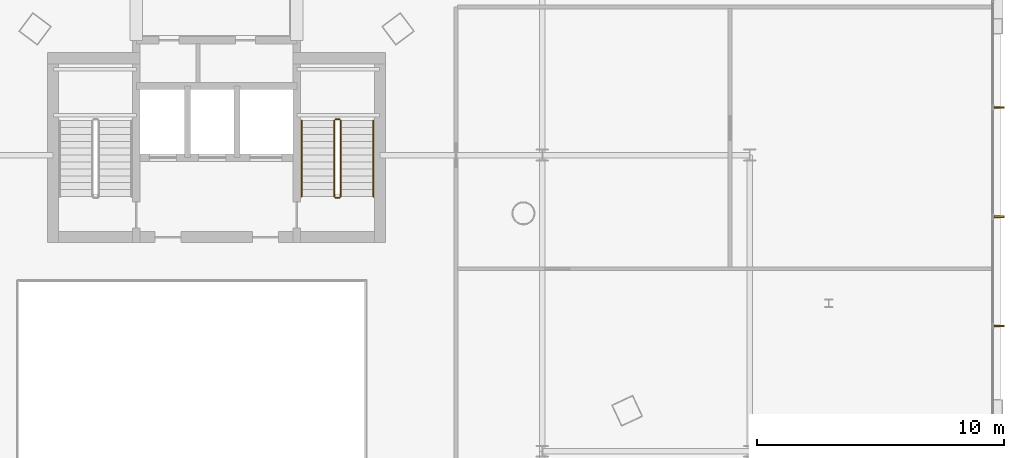
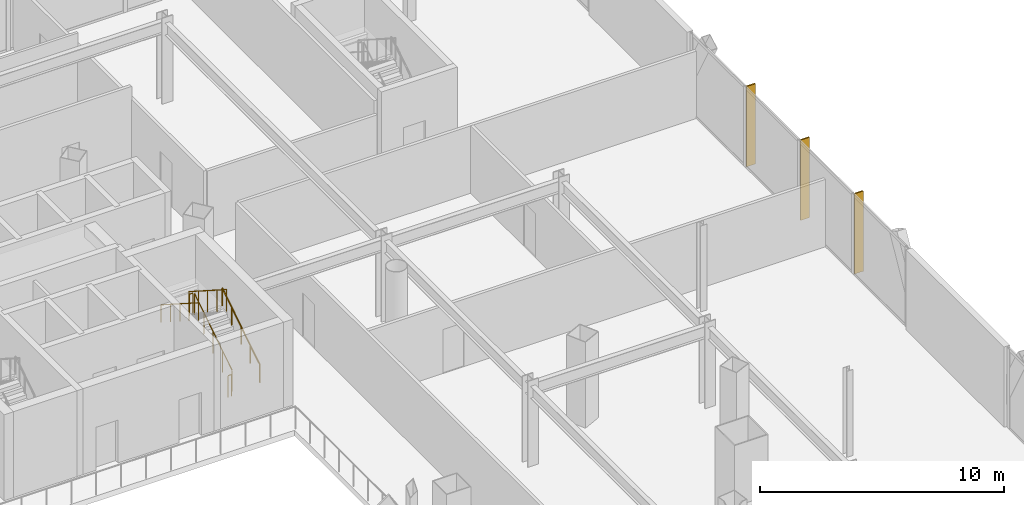
# One storey, part 39 of 42: 6 railings, 3 shading devices.
"""IFC4 building model written with IfcOpenShell, lengths in metres."""

from ifc_helpers import new_model, si_unit, direction, frame, origin, origin_2d, place, context, subcontext, project, spatial, rectangle, circle, extrude, material, layer, layer_set, type_object, element, save


model = new_model("IFC4")

# Units and contexts
model_context = context("Model", 3, precision=1e-05, world=origin(), true_north=direction((0.0, 1.0)))
body_context = subcontext(model_context, "Body", "Model", "MODEL_VIEW")
ifc_project = project(units=[si_unit("LENGTHUNIT", "METRE"), si_unit("AREAUNIT", "SQUARE_METRE"), si_unit("VOLUMEUNIT", "CUBIC_METRE"), si_unit("PLANEANGLEUNIT", "RADIAN"), si_unit("MASSUNIT", "GRAM", prefix="KILO")], contexts=[model_context])

# Site, building, storey
site_placement = place(None, origin())
site = spatial("IfcSite", under=ifc_project, at=site_placement, CompositionType="ELEMENT")
building_placement = place(site_placement, origin())
building = spatial("IfcBuilding", under=site, at=building_placement, Name="Orvanel Arch Residences", CompositionType="ELEMENT")
storey_placement = place(building_placement, frame((0.0, 0.0, 5.5)))
storey = spatial("IfcBuildingStorey", under=building, at=storey_placement, Name="L01", CompositionType="ELEMENT", Elevation=5.5)

# Shading devices
ifc_material_1 = material(Name="Bronze-anodised aluminium AA6063-T6", Category="aluminium")
ifc_layer = layer(ifc_material_1, 0.06494140625)
ifc_layer_set = layer_set([ifc_layer], Name="Bronze-anodised aluminium AA6063-T6")
shading_device_type = type_object("IfcShadingDeviceType", Name="FIN-BRZ-420", PredefinedType="USERDEFINED", material=ifc_layer_set)
for number, where, z_axis, x_axis, name in (
    (1, (64.68994140625, 23.070068359375, 0.0), (0.0, 0.0, 1.0), (1.0, 0.0, 0.0), "L01 Anodised Bronze Mullion FIN 01"),
    (2, (64.68994140625, 27.5, 0.0), (0.0, 0.0, 1.0), (1.0, 0.0, 0.0), "L01 Anodised Bronze Mullion FIN 02"),
    (3, (64.68994140625, 31.929931640625, 0.0), (0.0, 0.0, 1.0), (1.0, 0.0, 0.0), "L01 Anodised Bronze Mullion FIN 03"),
):
    element("IfcShadingDevice", number, at=place(storey_placement, frame(where, z_axis=z_axis, x_axis=x_axis)), inside=storey, type_object=shading_device_type, Name=name, ObjectType="FIN", PredefinedType="USERDEFINED", context=body_context, shape_type="SweptSolid", body=[
        extrude(rectangle(XDim=0.419921875, YDim=0.06494140625, at=origin_2d()), origin(), (0.0, 0.0, 1.0), 4.02001953125),
    ])

# Railings
ifc_material_2 = material(Name="Structural steel AS/NZS 1163 C350L0 (Grade 350)", Category="steel")
railing_type_1 = type_object("IfcRailingType", Name="RL-STAIR-GUARD", PredefinedType="GUARDRAIL", material=ifc_material_2)
railing_1_placement = place(storey_placement, frame((38.030029296875, 28.320068359375, 0.17919921875)))
element("IfcRailing", 4, at=railing_1_placement, inside=storey, type_object=railing_type_1, Name="L01 ST-2 stair guard 1", PredefinedType="GUARDRAIL", context=body_context, shape_type="SweptSolid", body=[
    extrude(circle(Radius=0.02392578125, at=origin_2d()), frame((0.0, 0.001220703125, 1.076904296875), z_axis=(0.0, 0.842319903074, 0.538977903893), x_axis=(-1.0, 0.0, 0.0)), (0.0, 0.0, 1.0), 3.6533203125),
    extrude(circle(Radius=0.02099609375, at=origin_2d()), origin(), (0.0, 0.0, 1.0), 1.050048828125),
    extrude(circle(Radius=0.02099609375, at=origin_2d()), frame((0.0, 0.77001953125, 0.49267578125)), (0.0, 0.0, 1.0), 1.050048828125),
    extrude(circle(Radius=0.02099609375, at=origin_2d()), frame((0.0, 1.5400390625, 0.9853515625)), (0.0, 0.0, 1.0), 1.050048828125),
    extrude(circle(Radius=0.02099609375, at=origin_2d()), frame((0.0, 2.309814453125, 1.47802734375)), (0.0, 0.0, 1.0), 1.050048828125),
    extrude(circle(Radius=0.02099609375, at=origin_2d()), frame((0.0, 3.079833984375, 1.970703125)), (0.0, 0.0, 1.0), 1.050048828125),
])
railing_2_placement = place(storey_placement, frame((37.97998046875, 31.449951171875, 2.14990234375)))
element("IfcRailing", 5, at=railing_2_placement, inside=storey, type_object=railing_type_1, Name="L01 ST-2 stair guard 2", PredefinedType="GUARDRAIL", context=body_context, shape_type="SweptSolid", body=[
    extrude(circle(Radius=0.02392578125, at=origin_2d()), frame((-0.00146484375, 0.0, 1.076171875), z_axis=(-1.0, 0.0, 0.0), x_axis=(0.0, -1.0, 0.0)), (0.0, 0.0, 1.0), 0.156982421875),
    extrude(circle(Radius=0.02099609375, at=origin_2d()), origin(), (0.0, 0.0, 1.0), 1.050048828125),
    extrude(circle(Radius=0.02099609375, at=origin_2d()), frame((-0.159912109375, 0.0, 0.0)), (0.0, 0.0, 1.0), 1.050048828125),
])
railing_3_placement = place(storey_placement, frame((37.77001953125, 31.39990234375, 2.3291015625)))
element("IfcRailing", 6, at=railing_3_placement, inside=storey, type_object=railing_type_1, Name="L01 ST-2 stair guard 3", PredefinedType="GUARDRAIL", context=body_context, shape_type="SweptSolid", body=[
    extrude(circle(Radius=0.02392578125, at=origin_2d()), frame((0.0, -0.001220703125, 1.076904296875), z_axis=(0.0, -0.842289589211, 0.539025275759), x_axis=(1.0, 0.0, 0.0)), (0.0, 0.0, 1.0), 3.653564453125),
    extrude(circle(Radius=0.02099609375, at=origin_2d()), origin(), (0.0, 0.0, 1.0), 1.050048828125),
    extrude(circle(Radius=0.02099609375, at=origin_2d()), frame((0.0, -0.77001953125, 0.49267578125)), (0.0, 0.0, 1.0), 1.050048828125),
    extrude(circle(Radius=0.02099609375, at=origin_2d()), frame((0.0, -1.5400390625, 0.9853515625)), (0.0, 0.0, 1.0), 1.050048828125),
    extrude(circle(Radius=0.02099609375, at=origin_2d()), frame((0.0, -2.309814453125, 1.478271484375)), (0.0, 0.0, 1.0), 1.050048828125),
    extrude(circle(Radius=0.02099609375, at=origin_2d()), frame((0.0, -3.079833984375, 1.970947265625)), (0.0, 0.0, 1.0), 1.050048828125),
])
railing_4_placement = place(storey_placement, frame((37.97998046875, 28.27001953125, 0.0)))
element("IfcRailing", 7, at=railing_4_placement, inside=storey, type_object=railing_type_1, Name="L01 ST-2 stair guard 4", PredefinedType="GUARDRAIL", context=body_context, shape_type="SweptSolid", body=[
    extrude(circle(Radius=0.02392578125, at=origin_2d()), frame((-0.00146484375, 0.0, 1.076171875), z_axis=(-1.0, 0.0, 0.0), x_axis=(0.0, -1.0, 0.0)), (0.0, 0.0, 1.0), 0.156982421875),
    extrude(circle(Radius=0.02099609375, at=origin_2d()), origin(), (0.0, 0.0, 1.0), 1.050048828125),
    extrude(circle(Radius=0.02099609375, at=origin_2d()), frame((-0.159912109375, 0.0, 0.0)), (0.0, 0.0, 1.0), 1.050048828125),
])
railing_type_2 = type_object("IfcRailingType", Name="RL-STAIR-HAND", PredefinedType="HANDRAIL", material=ifc_material_2)
railing_5_placement = place(storey_placement, frame((39.35009765625, 28.320068359375, 0.17919921875)))
element("IfcRailing", 8, at=railing_5_placement, inside=storey, type_object=railing_type_2, Name="L01 ST-2 stair handrail 1", PredefinedType="HANDRAIL", context=body_context, shape_type="SweptSolid", body=[
    extrude(circle(Radius=0.02392578125, at=origin_2d()), frame((0.0, 0.001220703125, 0.876708984375), z_axis=(0.0, 0.842319903074, 0.538977903893), x_axis=(-1.0, 0.0, 0.0)), (0.0, 0.0, 1.0), 3.6533203125),
    extrude(circle(Radius=0.02099609375, at=origin_2d()), origin(), (0.0, 0.0, 1.0), 0.849853515625),
    extrude(circle(Radius=0.02099609375, at=origin_2d()), frame((0.0, 0.77001953125, 0.49267578125)), (0.0, 0.0, 1.0), 0.849853515625),
    extrude(circle(Radius=0.02099609375, at=origin_2d()), frame((0.0, 1.5400390625, 0.9853515625)), (0.0, 0.0, 1.0), 0.849853515625),
    extrude(circle(Radius=0.02099609375, at=origin_2d()), frame((0.0, 2.309814453125, 1.47802734375)), (0.0, 0.0, 1.0), 0.849853515625),
    extrude(circle(Radius=0.02099609375, at=origin_2d()), frame((0.0, 3.079833984375, 1.970703125)), (0.0, 0.0, 1.0), 0.849853515625),
])
railing_6_placement = place(storey_placement, frame((36.449951171875, 31.39990234375, 2.3291015625)))
element("IfcRailing", 9, at=railing_6_placement, inside=storey, type_object=railing_type_2, Name="L01 ST-2 stair handrail 2", PredefinedType="HANDRAIL", context=body_context, shape_type="SweptSolid", body=[
    extrude(circle(Radius=0.02392578125, at=origin_2d()), frame((0.0, -0.001220703125, 0.876708984375), z_axis=(0.0, -0.842289589211, 0.539025275759), x_axis=(1.0, 0.0, 0.0)), (0.0, 0.0, 1.0), 3.653564453125),
    extrude(circle(Radius=0.02099609375, at=origin_2d()), origin(), (0.0, 0.0, 1.0), 0.849853515625),
    extrude(circle(Radius=0.02099609375, at=origin_2d()), frame((0.0, -0.77001953125, 0.49267578125)), (0.0, 0.0, 1.0), 0.849853515625),
    extrude(circle(Radius=0.02099609375, at=origin_2d()), frame((0.0, -1.5400390625, 0.9853515625)), (0.0, 0.0, 1.0), 0.849853515625),
    extrude(circle(Radius=0.02099609375, at=origin_2d()), frame((0.0, -2.309814453125, 1.478271484375)), (0.0, 0.0, 1.0), 0.849853515625),
    extrude(circle(Radius=0.02099609375, at=origin_2d()), frame((0.0, -3.079833984375, 1.970947265625)), (0.0, 0.0, 1.0), 0.849853515625),
])

save(model, "model.ifc")
